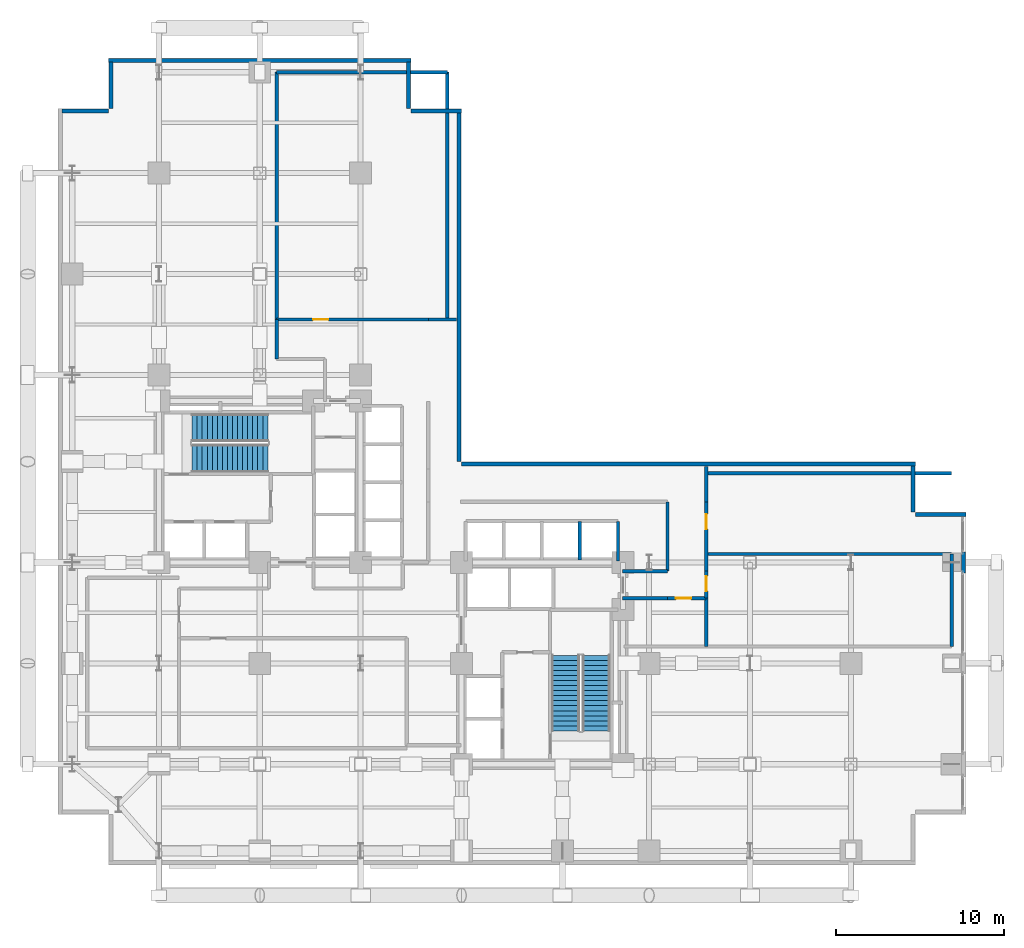
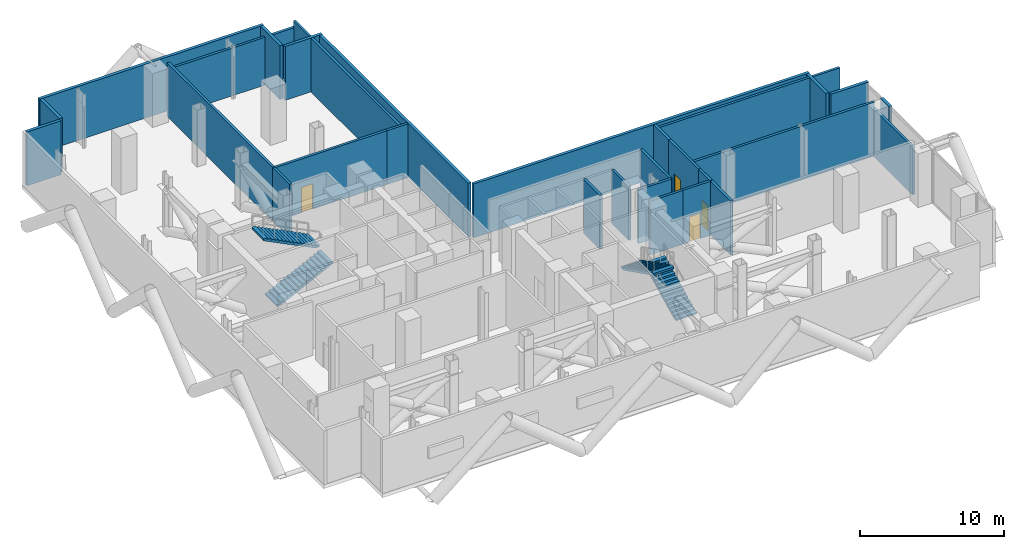
# One storey, part 9 of 10: 29 walls, 4 doors, 4 stair flights, 4 openings, 2 elements without a shape of their own.
"""IFC4 building model written with IfcOpenShell, lengths in metres."""

import ifcopenshell
import ifcopenshell.guid

model = None  # the IFC model being written
_history = None  # IfcOwnerHistory: only IFC2X3 demands one
_inside = {}  # id of a spatial element -> (the spatial element, [elements in it])
_under = {}  # id of a project, library or spatial element -> (it, [spatial elements below it])
_declared = {}  # id of a project -> (the project, [libraries it declares])
_typed = {}  # id of a type object -> (the type object, [elements of that type])
_made_of = {}  # id of a material, layer set ... -> (it, [elements and type objects made of it])


def new_model(schema):
    """Start an empty IFC model of exactly this schema.

    Asked for "IFC4X3", IfcOpenShell would pick the latest addendum, in which some entities
    have other attributes; the version numbers below select the first issue.
    IFC2X3 requires an IfcOwnerHistory on every rooted entity: one is made here for all.
    """
    global model, _history
    if schema == "IFC4X3":
        model = ifcopenshell.file(schema_version=(4, 3, 0, 0))
    else:
        model = ifcopenshell.file(schema=schema)
    _inside.clear()
    _under.clear()
    _declared.clear()
    _typed.clear()
    _made_of.clear()
    _history = None
    if model.schema == "IFC2X3":
        org = make("IfcOrganization", Name="unknown")
        user = make(
            "IfcPersonAndOrganization",
            ThePerson=make("IfcPerson", FamilyName="unknown"),
            TheOrganization=org,
        )
        app = make(
            "IfcApplication",
            ApplicationDeveloper=org,
            Version="unknown",
            ApplicationFullName="unknown",
            ApplicationIdentifier="unknown",
        )
        _history = make(
            "IfcOwnerHistory",
            OwningUser=user,
            OwningApplication=app,
            ChangeAction="ADDED",
            CreationDate=0,
        )
    return model


def make(cls, **values):
    """One entity of the class cls with the attributes given. An attribute that is None is left unset."""
    return model.create_entity(
        cls, **{name: value for name, value in values.items() if value is not None}
    )


def rooted(cls, **values):
    """An entity with a GlobalId (a new one), such as an element, a storey or a relation."""
    return make(cls, GlobalId=ifcopenshell.guid.new(), OwnerHistory=_history, **values)


def si_unit(unit_type, name, prefix=None):
    """IfcSIUnit, for example si_unit("LENGTHUNIT", "METRE", prefix="MILLI")."""
    return make("IfcSIUnit", UnitType=unit_type, Prefix=prefix, Name=name)


def assignment(units):
    """IfcUnitAssignment: the units of a project."""
    return None if units is None else make("IfcUnitAssignment", Units=units)


def point(xyz):
    """IfcCartesianPoint."""
    return None if xyz is None else make("IfcCartesianPoint", Coordinates=xyz)


def direction(xyz):
    """IfcDirection."""
    return None if xyz is None else make("IfcDirection", DirectionRatios=xyz)


def frame(location, z_axis=None, x_axis=None):
    """IfcAxis2Placement3D, a coordinate frame: its origin and axes. An axis left out is left unset."""
    return make(
        "IfcAxis2Placement3D",
        Location=point(location),
        Axis=direction(z_axis),
        RefDirection=direction(x_axis),
    )


def frame_2d(location, x_axis=None):
    """IfcAxis2Placement2D, a coordinate frame in the plane: its origin and x axis."""
    return make(
        "IfcAxis2Placement2D", Location=point(location), RefDirection=direction(x_axis)
    )


def origin():
    """The frame at (0, 0, 0) with its axes left unset."""
    return frame((0.0, 0.0, 0.0))


def place(relative_to, where):
    """IfcLocalPlacement: puts the frame where relative to a parent placement (None: the world)."""
    return make(
        "IfcLocalPlacement", PlacementRelTo=relative_to, RelativePlacement=where
    )


def context(
    kind, dimensions, precision=None, world=None, true_north=None, identifier=None
):
    """IfcGeometricRepresentationContext, for example the 3D "Model" context."""
    return make(
        "IfcGeometricRepresentationContext",
        ContextIdentifier=identifier,
        ContextType=kind,
        CoordinateSpaceDimension=dimensions,
        Precision=precision,
        WorldCoordinateSystem=world,
        TrueNorth=true_north,
    )


def subcontext(parent, identifier, kind, view, scale=None):
    """IfcGeometricRepresentationSubContext, for example "Body" below "Model"."""
    return make(
        "IfcGeometricRepresentationSubContext",
        ContextIdentifier=identifier,
        ContextType=kind,
        ParentContext=parent,
        TargetScale=scale,
        TargetView=view,
    )


def project(units=None, contexts=None):
    """IfcProject with its units and contexts."""
    return rooted(
        "IfcProject",
        Name="project",
        RepresentationContexts=contexts,
        UnitsInContext=assignment(units),
    )


def spatial(cls, under=None, at=None, **own):
    """A site, building, storey or space (cls), placed at a placement, below another one or the project."""
    s = rooted(cls, ObjectPlacement=at, **own)
    if under is not None:
        _under.setdefault(under.id(), (under, []))[1].append(s)
    return s


def polyline(points):
    """IfcPolyline through the points."""
    return make("IfcPolyline", Points=[point(p) for p in points])


def profile(cls, at=None, kind="AREA", **sizes):
    """A parametric profile (cls). Its sizes go by their IFC names, for example OverallWidth=200.0."""
    return make(cls, ProfileType=kind, Position=at, **sizes)


def rectangle(**sizes):
    """IfcRectangleProfileDef."""
    return profile("IfcRectangleProfileDef", **sizes)


def outline(outer, holes=None, kind="AREA"):
    """IfcArbitraryClosedProfileDef: a profile drawn as a closed curve; with holes, ...WithVoids."""
    if holes is None:
        return make("IfcArbitraryClosedProfileDef", ProfileType=kind, OuterCurve=outer)
    return make(
        "IfcArbitraryProfileDefWithVoids",
        ProfileType=kind,
        OuterCurve=outer,
        InnerCurves=holes,
    )


def extrude(swept, where, along, depth):
    """IfcExtrudedAreaSolid: the profile swept, set in the frame where, extruded along a direction by depth."""
    return make(
        "IfcExtrudedAreaSolid",
        SweptArea=swept,
        Position=where,
        ExtrudedDirection=direction(along),
        Depth=depth,
    )


def shape(context_of_items, identifier, shape_type, items):
    """IfcShapeRepresentation: the items that make up one representation, for example the "Body"."""
    return make(
        "IfcShapeRepresentation",
        ContextOfItems=context_of_items,
        RepresentationIdentifier=identifier,
        RepresentationType=shape_type,
        Items=items,
    )


def material(Name=None, Category=None):
    """IfcMaterial."""
    return make("IfcMaterial", Name=Name, Category=Category)


def layer(
    of_material, thickness, ventilated=None, Name=None, Category=None, Priority=None
):
    """IfcMaterialLayer: one layer of a wall or slab, of a material (None: an air gap)."""
    return make(
        "IfcMaterialLayer",
        Material=of_material,
        LayerThickness=thickness,
        IsVentilated=ventilated,
        Name=Name,
        Category=Category,
        Priority=Priority,
    )


def layer_set(layers, Name=None):
    """IfcMaterialLayerSet."""
    return make("IfcMaterialLayerSet", MaterialLayers=layers, LayerSetName=Name)


def made_of(thing, what):
    """Note that an element or type object is made of a material, layer set ...; save() writes the relation."""
    if what is not None:
        _made_of.setdefault(what.id(), (what, []))[1].append(thing)
    return thing


def type_object(cls, material=None, **own):
    """A type object (cls), such as IfcWallType, which elements share."""
    return made_of(rooted(cls, **own), material)


def element(
    cls,
    number,
    at=None,
    inside=None,
    cuts=None,
    type_object=None,
    material=None,
    context=None,
    identifier="Body",
    shape_type=None,
    held_by="IfcProductDefinitionShape",
    body=None,
    shapes=None,
    **own,
):
    """One element of the class cls, such as IfcWall. Its Tag is "e" and its number.

    at: its placement. inside: the storey or other place that contains it. cuts: it is an
    opening in that element (IfcRelVoidsElement). A single representation is given by context,
    identifier, shape_type and body (its items); several are given by shapes. held_by: the class
    of the entity that holds the representations. save() writes the other relations.
    """
    e = rooted(cls, Tag="e%d" % number, ObjectPlacement=at, **own)
    if body is not None:
        shapes = [shape(context, identifier, shape_type, body)]
    if shapes is not None:
        e.Representation = make(held_by, Representations=shapes)
    if inside is not None:
        _inside.setdefault(inside.id(), (inside, []))[1].append(e)
    if cuts is not None:
        rooted(
            "IfcRelVoidsElement", RelatingBuildingElement=cuts, RelatedOpeningElement=e
        )
    if type_object is not None:
        _typed.setdefault(type_object.id(), (type_object, []))[1].append(e)
    return made_of(e, material)


def fill(opening, filler):
    """IfcRelFillsElement: the door or window that sits in an opening."""
    return rooted(
        "IfcRelFillsElement",
        RelatingOpeningElement=opening,
        RelatedBuildingElement=filler,
    )


def aggregate(whole, parts):
    """IfcRelAggregates: a whole, such as a stair, and the parts it consists of."""
    return rooted("IfcRelAggregates", RelatingObject=whole, RelatedObjects=parts)


def save(model, path):
    """Write the relations noted so far, then the file.

    IfcRelAggregates (storeys below a building ...), IfcRelContainedInSpatialStructure (elements
    in a storey), IfcRelDefinesByType, IfcRelAssociatesMaterial and IfcRelDeclares: one each for
    every whole, place, type object, material and project.
    """
    for whole, parts in _under.values():
        aggregate(whole, parts)
    for where, things in _inside.values():
        rooted(
            "IfcRelContainedInSpatialStructure",
            RelatedElements=things,
            RelatingStructure=where,
        )
    for kind, things in _typed.values():
        rooted("IfcRelDefinesByType", RelatedObjects=things, RelatingType=kind)
    for what, things in _made_of.values():
        rooted("IfcRelAssociatesMaterial", RelatedObjects=things, RelatingMaterial=what)
    for by, libraries in _declared.values():
        rooted("IfcRelDeclares", RelatingContext=by, RelatedDefinitions=libraries)
    model.write(path)


model = new_model("IFC4")

# Units and contexts
model_context = context("Model", 3, precision=1e-05, world=origin(), true_north=direction((0.0, 1.0)))
body_context = subcontext(model_context, "Body", "Model", "MODEL_VIEW")
ifc_project = project(units=[si_unit("LENGTHUNIT", "METRE"), si_unit("AREAUNIT", "SQUARE_METRE"), si_unit("VOLUMEUNIT", "CUBIC_METRE"), si_unit("PLANEANGLEUNIT", "RADIAN"), si_unit("MASSUNIT", "GRAM", prefix="KILO"), si_unit("THERMODYNAMICTEMPERATUREUNIT", "KELVIN"), si_unit("POWERUNIT", "WATT")], contexts=[model_context])

# Site, building, storey
site_placement = place(None, origin())
site = spatial("IfcSite", under=ifc_project, at=site_placement, CompositionType="ELEMENT")
building_placement = place(site_placement, origin())
building = spatial("IfcBuilding", under=site, at=building_placement, Name="Svarakhadi Broadcast Tower", CompositionType="ELEMENT")
storey_placement = place(building_placement, frame((0.0, 0.0, 94.800048828125)))
storey = spatial("IfcBuildingStorey", under=building, at=storey_placement, Name="L22", CompositionType="ELEMENT", Elevation=94.800048828125)

# Walls
ifc_material_1 = material(Name="Concrete C40/50 (IS 456 M50)", Category="concrete")
ifc_layer_1 = layer(ifc_material_1, 0.239990234375)
ifc_layer_set_1 = layer_set([ifc_layer_1], Name="Concrete C40/50 (IS 456 M50)")
wall_type_1 = type_object("IfcWallType", Name="Wall_Ext_240", PredefinedType="SOLIDWALL", material=ifc_layer_set_1)
wall_1_placement = place(storey_placement, frame((3.0, 47.85009765625, 0.0), z_axis=(0.0, 0.0, 1.0), x_axis=(1.0, 0.0, 0.0)))
element("IfcWall", 1, at=wall_1_placement, inside=storey, type_object=wall_type_1, Name="L22 North Mechanical Acoustic Plant Wall", PredefinedType="SOLIDWALL", context=body_context, shape_type="SweptSolid", body=[
    extrude(rectangle(XDim=18.0, YDim=0.239990234375, at=frame_2d((9.0, 0.0))), origin(), (0.0, 0.0, 1.0), 4.574951171875),
])
for number, where, z_axis, x_axis, name in (
    (2, (0.2548828125, 44.85009765625, 0.0), (0.0, 0.0, 1.0), (1.0, 0.0, 0.0), "L22 Perimeter Bronze Spandrel Closure Wall 02"),
    (3, (3.14990234375, 45.0, 0.0), (0.0, 0.0, 1.0), (0.0, 1.0, 0.0), "L22 Perimeter Bronze Spandrel Closure Wall 03"),
    (4, (20.85009765625, 47.7451171875, 0.0), (0.0, 0.0, 1.0), (0.0, -1.0, 0.0), "L22 Perimeter Bronze Spandrel Closure Wall 04"),
):
    element("IfcWall", number, at=place(storey_placement, frame(where, z_axis=z_axis, x_axis=x_axis)), inside=storey, type_object=wall_type_1, Name=name, PredefinedType="SOLIDWALL", context=body_context, shape_type="SweptSolid", body=[
        extrude(rectangle(XDim=2.7451171875, YDim=0.239990234375, at=frame_2d((1.37255859375, 0.0))), origin(), (0.0, 0.0, 1.0), 4.574951171875),
    ])
wall_2_placement = place(storey_placement, frame((21.0, 44.85009765625, 0.0), z_axis=(0.0, 0.0, 1.0), x_axis=(1.0, 0.0, 0.0)))
element("IfcWall", 5, at=wall_2_placement, inside=storey, type_object=wall_type_1, Name="L22 Perimeter Bronze Spandrel Closure Wall 05", PredefinedType="SOLIDWALL", context=body_context, shape_type="SweptSolid", body=[
    extrude(rectangle(XDim=3.0, YDim=0.239990234375, at=frame_2d((1.5, 0.0))), origin(), (0.0, 0.0, 1.0), 4.574951171875),
])
wall_3_placement = place(storey_placement, frame((23.85009765625, 44.72509765625, 0.0), z_axis=(0.0, 0.0, 1.0), x_axis=(0.0, -1.0, 0.0)))
element("IfcWall", 6, at=wall_3_placement, inside=storey, type_object=wall_type_1, Name="L22 Perimeter Bronze Spandrel Closure Wall 06", PredefinedType="SOLIDWALL", context=body_context, shape_type="SweptSolid", body=[
    extrude(rectangle(XDim=20.72509765625, YDim=0.239990234375, at=frame_2d((10.362548828125, 0.0))), origin(), (0.0, 0.0, 1.0), 4.574951171875),
])
wall_4_placement = place(storey_placement, frame((24.0, 23.85009765625, 0.0), z_axis=(0.0, 0.0, 1.0), x_axis=(1.0, 0.0, 0.0)))
element("IfcWall", 7, at=wall_4_placement, inside=storey, type_object=wall_type_1, Name="L22 Perimeter Bronze Spandrel Closure Wall 07", PredefinedType="SOLIDWALL", context=body_context, shape_type="SweptSolid", body=[
    extrude(rectangle(XDim=27.0, YDim=0.239990234375, at=frame_2d((13.5, 0.0))), origin(), (0.0, 0.0, 1.0), 4.574951171875),
])
wall_5_placement = place(storey_placement, frame((50.85009765625, 23.72509765625, 0.0), z_axis=(0.0, 0.0, 1.0), x_axis=(0.0, -1.0, 0.0)))
element("IfcWall", 8, at=wall_5_placement, inside=storey, type_object=wall_type_1, Name="L22 Perimeter Bronze Spandrel Closure Wall 08", PredefinedType="SOLIDWALL", context=body_context, shape_type="SweptSolid", body=[
    extrude(rectangle(XDim=2.72509765625, YDim=0.239990234375, at=frame_2d((1.362548828125, 0.0))), origin(), (0.0, 0.0, 1.0), 4.574951171875),
])
wall_6_placement = place(storey_placement, frame((51.0, 20.85009765625, 0.0), z_axis=(0.0, 0.0, 1.0), x_axis=(1.0, 0.0, 0.0)))
element("IfcWall", 9, at=wall_6_placement, inside=storey, type_object=wall_type_1, Name="L22 Perimeter Bronze Spandrel Closure Wall 09", PredefinedType="SOLIDWALL", context=body_context, shape_type="SweptSolid", body=[
    extrude(rectangle(XDim=3.0, YDim=0.239990234375, at=frame_2d((1.5, 0.0))), origin(), (0.0, 0.0, 1.0), 4.574951171875),
])
wall_7_placement = place(storey_placement, frame((53.85009765625, 18.614990234375, 0.0), z_axis=(0.0, 0.0, 1.0), x_axis=(0.0, -1.0, 0.0)))
element("IfcWall", 10, at=wall_7_placement, inside=storey, type_object=wall_type_1, Name="L22 Perimeter Bronze Spandrel Closure Wall 10", PredefinedType="SOLIDWALL", context=body_context, shape_type="SweptSolid", body=[
    extrude(rectangle(XDim=1.22998046875, YDim=0.239990234375, at=frame_2d((0.614990234375, 0.0))), origin(), (0.0, 0.0, 1.0), 4.574951171875),
])
ifc_layer_2 = layer(ifc_material_1, 0.199951171875)
ifc_layer_set_2 = layer_set([ifc_layer_2], Name="Concrete C40/50 (IS 456 M50)")
wall_type_2 = type_object("IfcWallType", Name="Wall_Fire_200", PredefinedType="SOLIDWALL", material=ifc_layer_set_2)
wall_8_placement = place(storey_placement, frame((13.0, 30.10009765625, 0.0), z_axis=(0.0, 0.0, 1.0), x_axis=(0.0, 1.0, 0.0)))
element("IfcWall", 11, at=wall_8_placement, inside=storey, type_object=wall_type_2, Name="L22 Plant Service Corridor Wall", PredefinedType="SOLIDWALL", context=body_context, shape_type="SweptSolid", body=[
    extrude(rectangle(XDim=2.349853515625, YDim=0.199951171875, at=frame_2d((1.1748046875, 0.0))), origin(), (0.0, 0.0, 1.0), 4.574951171875),
])

# Wall, opening, door
wall_9_placement = place(storey_placement, frame((13.0, 32.449951171875, 0.0), z_axis=(0.0, 0.0, 1.0), x_axis=(1.0, 0.0, 0.0)))
wall_9 = element("IfcWall", 12, at=wall_9_placement, inside=storey, type_object=wall_type_2, Name="L22 Plant Service Corridor Wall", PredefinedType="SOLIDWALL", context=body_context, shape_type="SweptSolid", body=[
    extrude(rectangle(XDim=9.02001953125, YDim=0.199951171875, at=frame_2d((4.510009765625, 0.0))), origin(), (0.0, 0.0, 1.0), 4.574951171875),
])
opening_1_placement = place(wall_9_placement, frame((2.175048828125, 0.0, 0.0)))
opening_1 = element("IfcOpeningElement", 13, at=opening_1_placement, cuts=wall_9, Name="Opening D-03", PredefinedType="OPENING", context=body_context, shape_type="SweptSolid", body=[
    extrude(rectangle(XDim=0.89990234375, YDim=2.14990234375, at=frame_2d((0.449951171875, 1.074951171875))), frame((0.0, 0.10986328125, 0.0), z_axis=(0.0, -1.0, 0.0), x_axis=(1.0, 0.0, 0.0)), (0.0, 0.0, 1.0), 0.219970703125),
])
ifc_material_2 = material(Name="Galvanised Powder-Coated Fire-Rated Steel Leaf", Category="steel")
door_type_1 = type_object("IfcDoorType", Name="Door_Fire_D03", OperationType="SINGLE_SWING_LEFT", PredefinedType="DOOR", material=ifc_material_2)
door_1_placement = place(opening_1_placement, origin())
door_1 = element("IfcDoor", 14, at=door_1_placement, inside=storey, type_object=door_type_1, Name="L22 Pressurised Fire Refuge Area North Door", OperationType="SINGLE_SWING_LEFT", OverallHeight=2.14990234375, OverallWidth=0.89990234375, PredefinedType="DOOR", context=body_context, shape_type="SweptSolid", body=[
    extrude(rectangle(XDim=0.89990234375, YDim=2.14990234375, at=frame_2d((0.449951171875, 1.074951171875))), frame((0.0, 0.02490234375, 0.0), z_axis=(0.0, -1.0, 0.0), x_axis=(1.0, 0.0, 0.0)), (0.0, 0.0, 1.0), 0.050048828125),
])
fill(opening_1, door_1)

# Walls
wall_10_placement = place(storey_placement, frame((22.02001953125, 32.449951171875, 0.0), z_axis=(0.0, 0.0, 1.0), x_axis=(1.0, 0.0, 0.0)))
element("IfcWall", 15, at=wall_10_placement, inside=storey, type_object=wall_type_2, Name="L22 Plant Service Corridor Wall", PredefinedType="SOLIDWALL", context=body_context, shape_type="SweptSolid", body=[
    extrude(rectangle(XDim=1.679931640625, YDim=0.199951171875, at=frame_2d((0.83984375, 0.0))), origin(), (0.0, 0.0, 1.0), 4.574951171875),
])
wall_11_placement = place(storey_placement, frame((38.550048828125, 23.699951171875, 0.0), z_axis=(0.0, 0.0, 1.0), x_axis=(0.0, -1.0, 0.0)))
element("IfcWall", 16, at=wall_11_placement, inside=storey, type_object=wall_type_2, Name="L22 Plant Service Corridor Wall", PredefinedType="SOLIDWALL", context=body_context, shape_type="SweptSolid", body=[
    extrude(rectangle(XDim=2.099853515625, YDim=0.199951171875, at=frame_2d((1.0498046875, 0.0))), origin(), (0.0, 0.0, 1.0), 4.574951171875),
])

# Wall, opening, door
wall_12_placement = place(storey_placement, frame((38.550048828125, 21.60009765625, 0.0), z_axis=(0.0, 0.0, 1.0), x_axis=(0.0, -1.0, 0.0)))
wall_12 = element("IfcWall", 17, at=wall_12_placement, inside=storey, type_object=wall_type_2, Name="L22 Plant Service Corridor Wall", PredefinedType="SOLIDWALL", context=body_context, shape_type="SweptSolid", body=[
    extrude(rectangle(XDim=4.1201171875, YDim=0.199951171875, at=frame_2d((2.06005859375, 0.0))), origin(), (0.0, 0.0, 1.0), 4.574951171875),
])
opening_2_placement = place(wall_12_placement, frame((0.72509765625, 0.0, 0.0)))
opening_2 = element("IfcOpeningElement", 18, at=opening_2_placement, cuts=wall_12, Name="Opening D-04", PredefinedType="OPENING", context=body_context, shape_type="SweptSolid", body=[
    extrude(rectangle(XDim=0.89990234375, YDim=2.14990234375, at=frame_2d((0.449951171875, 1.074951171875))), frame((0.0, 0.10986328125, 0.0), z_axis=(0.0, -1.0, 0.0), x_axis=(1.0, 0.0, 0.0)), (0.0, 0.0, 1.0), 0.219970703125),
])
door_type_2 = type_object("IfcDoorType", Name="Door_Fire_D04", OperationType="SINGLE_SWING_RIGHT", PredefinedType="DOOR", material=ifc_material_2)
door_2_placement = place(opening_2_placement, origin())
door_2 = element("IfcDoor", 19, at=door_2_placement, inside=storey, type_object=door_type_2, Name="L22 Chilled Water Plate Heat Exchanger Plant Room Door", OperationType="SINGLE_SWING_RIGHT", OverallHeight=2.14990234375, OverallWidth=0.89990234375, PredefinedType="DOOR", context=body_context, shape_type="SweptSolid", body=[
    extrude(rectangle(XDim=0.89990234375, YDim=2.14990234375, at=frame_2d((0.449951171875, 1.074951171875))), frame((0.0, 0.02490234375, 0.0), z_axis=(0.0, -1.0, 0.0), x_axis=(1.0, 0.0, 0.0)), (0.0, 0.0, 1.0), 0.050048828125),
])
fill(opening_2, door_2)

wall_13_placement = place(storey_placement, frame((38.550048828125, 17.47998046875, 0.0), z_axis=(0.0, 0.0, 1.0), x_axis=(0.0, -1.0, 0.0)))
wall_13 = element("IfcWall", 20, at=wall_13_placement, inside=storey, type_object=wall_type_2, Name="L22 Plant Service Corridor Wall", PredefinedType="SOLIDWALL", context=body_context, shape_type="SweptSolid", body=[
    extrude(rectangle(XDim=1.60009765625, YDim=0.199951171875, at=frame_2d((0.800048828125, 0.0))), origin(), (0.0, 0.0, 1.0), 4.574951171875),
])
opening_3_placement = place(wall_13_placement, frame((0.2900390625, 0.0, 0.0)))
opening_3 = element("IfcOpeningElement", 21, at=opening_3_placement, cuts=wall_13, Name="Opening D-03", PredefinedType="OPENING", context=body_context, shape_type="SweptSolid", body=[
    extrude(rectangle(XDim=0.89990234375, YDim=2.14990234375, at=frame_2d((0.449951171875, 1.074951171875))), frame((0.0, 0.10986328125, 0.0), z_axis=(0.0, -1.0, 0.0), x_axis=(1.0, 0.0, 0.0)), (0.0, 0.0, 1.0), 0.219970703125),
])
door_3_placement = place(opening_3_placement, origin())
door_3 = element("IfcDoor", 22, at=door_3_placement, inside=storey, type_object=door_type_1, Name="L22 Pressurised Fire Refuge Area East Door", OperationType="SINGLE_SWING_LEFT", OverallHeight=2.14990234375, OverallWidth=0.89990234375, PredefinedType="DOOR", context=body_context, shape_type="SweptSolid", body=[
    extrude(rectangle(XDim=0.89990234375, YDim=2.14990234375, at=frame_2d((0.449951171875, 1.074951171875))), frame((0.0, 0.02490234375, 0.0), z_axis=(0.0, -1.0, 0.0), x_axis=(1.0, 0.0, 0.0)), (0.0, 0.0, 1.0), 0.050048828125),
])
fill(opening_3, door_3)

wall_14_placement = place(storey_placement, frame((38.550048828125, 15.8798828125, 0.0), z_axis=(0.0, 0.0, 1.0), x_axis=(-1.0, 0.0, 0.0)))
wall_14 = element("IfcWall", 23, at=wall_14_placement, inside=storey, type_object=wall_type_2, Name="L22 Plant Service Corridor Wall", PredefinedType="SOLIDWALL", context=body_context, shape_type="SweptSolid", body=[
    extrude(rectangle(XDim=2.300048828125, YDim=0.199951171875, at=frame_2d((1.14990234375, 0.0))), origin(), (0.0, 0.0, 1.0), 4.574951171875),
])
opening_4_placement = place(wall_14_placement, frame((0.89990234375, 0.0, 0.0)))
opening_4 = element("IfcOpeningElement", 24, at=opening_4_placement, cuts=wall_14, Name="Opening D-04", PredefinedType="OPENING", context=body_context, shape_type="SweptSolid", body=[
    extrude(rectangle(XDim=0.89990234375, YDim=2.14990234375, at=frame_2d((0.449951171875, 1.074951171875))), frame((0.0, 0.10986328125, 0.0), z_axis=(0.0, -1.0, 0.0), x_axis=(1.0, 0.0, 0.0)), (0.0, 0.0, 1.0), 0.219970703125),
])
door_4_placement = place(opening_4_placement, origin())
door_4 = element("IfcDoor", 25, at=door_4_placement, inside=storey, type_object=door_type_2, Name="L22 Stairwell Pressurisation Fan Plant Room Door", OperationType="SINGLE_SWING_RIGHT", OverallHeight=2.14990234375, OverallWidth=0.89990234375, PredefinedType="DOOR", context=body_context, shape_type="SweptSolid", body=[
    extrude(rectangle(XDim=0.89990234375, YDim=2.14990234375, at=frame_2d((0.449951171875, 1.074951171875))), frame((0.0, 0.02490234375, 0.0), z_axis=(0.0, -1.0, 0.0), x_axis=(1.0, 0.0, 0.0)), (0.0, 0.0, 1.0), 0.050048828125),
])
fill(opening_4, door_4)

# Walls
for number, where, z_axis, x_axis, name in (
    (26, (36.25, 15.8798828125, 0.0), (0.0, 0.0, 1.0), (-1.0, 0.0, 0.0), "L22 Plant Service Corridor Wall"),
    (27, (33.580078125, 17.47998046875, 0.0), (0.0, 0.0, 1.0), (1.0, 0.0, 0.0), "L22 Plant Service Corridor Wall"),
):
    element("IfcWall", number, at=place(storey_placement, frame(where, z_axis=z_axis, x_axis=x_axis)), inside=storey, type_object=wall_type_2, Name=name, PredefinedType="SOLIDWALL", context=body_context, shape_type="SweptSolid", body=[
        extrude(rectangle(XDim=2.669921875, YDim=0.199951171875, at=frame_2d((1.3349609375, 0.0))), origin(), (0.0, 0.0, 1.0), 4.574951171875),
    ])
wall_15_placement = place(storey_placement, frame((36.25, 17.47998046875, 0.0), z_axis=(0.0, 0.0, 1.0), x_axis=(0.0, 1.0, 0.0)))
element("IfcWall", 28, at=wall_15_placement, inside=storey, type_object=wall_type_2, Name="L22 Plant Service Corridor Wall", PredefinedType="SOLIDWALL", context=body_context, shape_type="SweptSolid", body=[
    extrude(rectangle(XDim=4.1201171875, YDim=0.199951171875, at=frame_2d((2.06005859375, 0.0))), origin(), (0.0, 0.0, 1.0), 4.574951171875),
])
wall_16_placement = place(storey_placement, frame((38.550048828125, 18.5, 0.0), z_axis=(0.0, 0.0, 1.0), x_axis=(1.0, 0.0, 0.0)))
element("IfcWall", 29, at=wall_16_placement, inside=storey, type_object=wall_type_2, Name="L22 Pressurised Fire Refuge Area East Wall", PredefinedType="SOLIDWALL", context=body_context, shape_type="SweptSolid", body=[
    extrude(rectangle(XDim=14.599853515625, YDim=0.199951171875, at=frame_2d((7.2998046875, 0.0))), origin(), (0.0, 0.0, 1.0), 4.574951171875),
])
wall_17_placement = place(storey_placement, frame((53.14990234375, 13.0, 0.0), z_axis=(0.0, 0.0, 1.0), x_axis=(0.0, 1.0, 0.0)))
element("IfcWall", 30, at=wall_17_placement, inside=storey, type_object=wall_type_2, Name="L22 Pressurised Fire Refuge Area East Wall", PredefinedType="SOLIDWALL", context=body_context, shape_type="SweptSolid", body=[
    extrude(rectangle(XDim=5.5, YDim=0.199951171875, at=frame_2d((2.75, 0.0))), origin(), (0.0, 0.0, 1.0), 4.052001953125),
])
wall_18_placement = place(storey_placement, frame((13.0, 47.14990234375, 0.0), z_axis=(0.0, 0.0, 1.0), x_axis=(1.0, 0.0, 0.0)))
element("IfcWall", 31, at=wall_18_placement, inside=storey, type_object=wall_type_2, Name="L22 Pressurised Fire Refuge Area North Wall", PredefinedType="SOLIDWALL", context=body_context, shape_type="SweptSolid", body=[
    extrude(rectangle(XDim=10.14990234375, YDim=0.199951171875, at=frame_2d((5.074951171875, 0.0))), origin(), (0.0, 0.0, 1.0), 4.052001953125),
])
for number, where, z_axis, x_axis, name in (
    (32, (13.0, 32.449951171875, 0.0), (0.0, 0.0, 1.0), (0.0, 1.0, 0.0), "L22 Pressurised Fire Refuge Area North Wall"),
    (33, (23.14990234375, 32.449951171875, 0.0), (0.0, 0.0, 1.0), (0.0, 1.0, 0.0), "L22 Pressurised Fire Refuge Area North Wall"),
):
    element("IfcWall", number, at=place(storey_placement, frame(where, z_axis=z_axis, x_axis=x_axis)), inside=storey, type_object=wall_type_2, Name=name, PredefinedType="SOLIDWALL", context=body_context, shape_type="SweptSolid", body=[
        extrude(rectangle(XDim=14.699951171875, YDim=0.199951171875, at=frame_2d((7.35009765625, 0.0))), origin(), (0.0, 0.0, 1.0), 4.574951171875),
    ])
wall_19_placement = place(storey_placement, frame((38.550048828125, 23.300048828125, 0.0), z_axis=(0.0, 0.0, 1.0), x_axis=(1.0, 0.0, 0.0)))
element("IfcWall", 34, at=wall_19_placement, inside=storey, type_object=wall_type_2, Name="L22 Chilled Water Plate Heat Exchanger Plant Room Wall", PredefinedType="SOLIDWALL", context=body_context, shape_type="SweptSolid", body=[
    extrude(rectangle(XDim=14.599853515625, YDim=0.199951171875, at=frame_2d((7.2998046875, 0.0))), origin(), (0.0, 0.0, 1.0), 4.574951171875),
])
wall_20_placement = place(storey_placement, frame((38.550048828125, 13.0, 0.0), z_axis=(0.0, 0.0, 1.0), x_axis=(0.0, 1.0, 0.0)))
element("IfcWall", 35, at=wall_20_placement, inside=storey, type_object=wall_type_2, Name="L22 Stairwell Pressurisation Fan Plant Room Wall", PredefinedType="SOLIDWALL", context=body_context, shape_type="SweptSolid", body=[
    extrude(rectangle(XDim=2.8798828125, YDim=0.199951171875, at=frame_2d((1.43994140625, 0.0))), origin(), (0.0, 0.0, 1.0), 4.574951171875),
])
ifc_material_3 = material(Name="Concrete C50/60 (IS 456 M60)", Category="concrete")
ifc_layer_3 = layer(ifc_material_3, 0.199951171875)
ifc_layer_set_3 = layer_set([ifc_layer_3], Name="Concrete C50/60 (IS 456 M60)")
wall_type_3 = type_object("IfcWallType", Name="Wall_Shear_200", PredefinedType="SHEAR", material=ifc_layer_set_3)
wall_21_placement = place(storey_placement, frame((33.300048828125, 18.10009765625, 0.0), z_axis=(0.0, 0.0, 1.0), x_axis=(0.0, 1.0, 0.0)))
element("IfcWall", 36, at=wall_21_placement, inside=storey, type_object=wall_type_3, Name="L22 Bank B East Shaft Wall", PredefinedType="SHEAR", context=body_context, shape_type="SweptSolid", body=[
    extrude(rectangle(XDim=2.349853515625, YDim=0.199951171875, at=frame_2d((1.1748046875, 0.0))), origin(), (0.0, 0.0, 1.0), 4.574951171875),
])
wall_22_placement = place(storey_placement, frame((31.02001953125, 18.14990234375, 0.0), z_axis=(0.0, 0.0, 1.0), x_axis=(0.0, 1.0, 0.0)))
element("IfcWall", 37, at=wall_22_placement, inside=storey, type_object=wall_type_3, Name="L22 Bank B Divider", PredefinedType="SHEAR", context=body_context, shape_type="SweptSolid", body=[
    extrude(rectangle(XDim=2.300048828125, YDim=0.199951171875, at=frame_2d((1.14990234375, 0.0))), origin(), (0.0, 0.0, 1.0), 4.574951171875),
])

# Stair, stair flights
stair_type = type_object("IfcStairType", Name="Stair_Exit_Core", PredefinedType="HALF_TURN_STAIR", material=ifc_material_1)
stair_1_placement = place(storey_placement, origin())
stair_1 = element("IfcStair", 38, at=stair_1_placement, inside=storey, type_object=stair_type, Name="L22 West Core Protected Exit Stair ST-01", PredefinedType="HALF_TURN_STAIR")
stair_flight_type = type_object("IfcStairFlightType", Name="Flight_RC_1680", PredefinedType="STRAIGHT", material=ifc_material_1)
stair_flight_1_placement = place(storey_placement, frame((7.97998046875, 24.18994140625, 0.0), z_axis=(0.0, 0.0, 1.0), x_axis=(1.0, 0.0, 0.0)))
stair_flight_1 = element("IfcStairFlight", 39, at=stair_flight_1_placement, type_object=stair_flight_type, Name="ST-01 flight 1", NumberOfRisers=16, NumberOfTreads=15, PredefinedType="STRAIGHT", RiserHeight=0.15, TreadLength=0.3, context=body_context, shape_type="SweptSolid", body=[
    extrude(outline(polyline([(0.0, 0.0), (0.0, 0.14990234375), (0.300048828125, 0.14990234375), (0.300048828125, 0.300048828125), (0.60009765625, 0.300048828125), (0.60009765625, 0.449951171875), (0.89990234375, 0.449951171875), (0.89990234375, 0.60009765625), (1.199951171875, 0.60009765625), (1.199951171875, 0.75), (1.5, 0.75), (1.5, 0.89990234375), (1.800048828125, 0.89990234375), (1.800048828125, 1.050048828125), (2.10009765625, 1.050048828125), (2.10009765625, 1.199951171875), (2.39990234375, 1.199951171875), (2.39990234375, 1.35009765625), (2.699951171875, 1.35009765625), (2.699951171875, 1.5), (3.0, 1.5), (3.0, 1.64990234375), (3.300048828125, 1.64990234375), (3.300048828125, 1.800048828125), (3.60009765625, 1.800048828125), (3.60009765625, 1.949951171875), (3.89990234375, 1.949951171875), (3.89990234375, 2.10009765625), (4.199951171875, 2.10009765625), (4.199951171875, 2.25), (4.5, 2.25), (4.5, 2.39990234375), (4.5, 2.08251953125), (0.335205078125, 0.0), (0.0, 0.0)])), frame((0.0, 0.830078125, 0.0), z_axis=(0.0, -1.0, 0.0), x_axis=(1.0, 0.0, 0.0)), (0.0, 0.0, 1.0), 1.659912109375),
])
stair_flight_2_placement = place(storey_placement, frame((12.47998046875, 26.010009765625, 2.39990234375), z_axis=(0.0, 0.0, 1.0), x_axis=(-1.0, 0.0, 0.0)))
stair_flight_2 = element("IfcStairFlight", 40, at=stair_flight_2_placement, type_object=stair_flight_type, Name="ST-01 flight 2", NumberOfRisers=16, NumberOfTreads=15, PredefinedType="STRAIGHT", RiserHeight=0.15, TreadLength=0.3, context=body_context, shape_type="SweptSolid", body=[
    extrude(outline(polyline([(0.0, 0.0), (0.0, 0.14990234375), (0.300048828125, 0.14990234375), (0.300048828125, 0.300048828125), (0.60009765625, 0.300048828125), (0.60009765625, 0.449951171875), (0.89990234375, 0.449951171875), (0.89990234375, 0.60009765625), (1.199951171875, 0.60009765625), (1.199951171875, 0.75), (1.5, 0.75), (1.5, 0.89990234375), (1.800048828125, 0.89990234375), (1.800048828125, 1.050048828125), (2.10009765625, 1.050048828125), (2.10009765625, 1.199951171875), (2.39990234375, 1.199951171875), (2.39990234375, 1.35009765625), (2.699951171875, 1.35009765625), (2.699951171875, 1.5), (3.0, 1.5), (3.0, 1.64990234375), (3.300048828125, 1.64990234375), (3.300048828125, 1.800048828125), (3.60009765625, 1.800048828125), (3.60009765625, 1.949951171875), (3.89990234375, 1.949951171875), (3.89990234375, 2.10009765625), (4.199951171875, 2.10009765625), (4.199951171875, 2.25), (4.5, 2.25), (4.5, 2.39990234375), (4.5, 2.08251953125), (0.335205078125, 0.0), (0.0, 0.0)])), frame((0.0, 0.830078125, 0.0), z_axis=(0.0, -1.0, 0.0), x_axis=(1.0, 0.0, 0.0)), (0.0, 0.0, 1.0), 1.659912109375),
])
aggregate(stair_1, [stair_flight_1, stair_flight_2])

stair_2_placement = place(storey_placement, origin())
stair_2 = element("IfcStair", 41, at=stair_2_placement, inside=storey, type_object=stair_type, Name="L22 East Core Protected Exit Stair ST-02", PredefinedType="HALF_TURN_STAIR")
stair_flight_3_placement = place(storey_placement, frame((32.010009765625, 7.97998046875, 0.0), z_axis=(0.0, 0.0, 1.0), x_axis=(0.0, 1.0, 0.0)))
stair_flight_3 = element("IfcStairFlight", 42, at=stair_flight_3_placement, type_object=stair_flight_type, Name="ST-02 flight 1", NumberOfRisers=16, NumberOfTreads=15, PredefinedType="STRAIGHT", RiserHeight=0.15, TreadLength=0.3, context=body_context, shape_type="SweptSolid", body=[
    extrude(outline(polyline([(0.0, 0.0), (0.0, 0.14990234375), (0.300048828125, 0.14990234375), (0.300048828125, 0.300048828125), (0.60009765625, 0.300048828125), (0.60009765625, 0.449951171875), (0.89990234375, 0.449951171875), (0.89990234375, 0.60009765625), (1.199951171875, 0.60009765625), (1.199951171875, 0.75), (1.5, 0.75), (1.5, 0.89990234375), (1.800048828125, 0.89990234375), (1.800048828125, 1.050048828125), (2.10009765625, 1.050048828125), (2.10009765625, 1.199951171875), (2.39990234375, 1.199951171875), (2.39990234375, 1.35009765625), (2.699951171875, 1.35009765625), (2.699951171875, 1.5), (3.0, 1.5), (3.0, 1.64990234375), (3.300048828125, 1.64990234375), (3.300048828125, 1.800048828125), (3.60009765625, 1.800048828125), (3.60009765625, 1.949951171875), (3.89990234375, 1.949951171875), (3.89990234375, 2.10009765625), (4.199951171875, 2.10009765625), (4.199951171875, 2.25), (4.5, 2.25), (4.5, 2.39990234375), (4.5, 2.08251953125), (0.335205078125, 0.0), (0.0, 0.0)])), frame((0.0, 0.830078125, 0.0), z_axis=(0.0, -1.0, 0.0), x_axis=(1.0, 0.0, 0.0)), (0.0, 0.0, 1.0), 1.659912109375),
])
stair_flight_4_placement = place(storey_placement, frame((30.18994140625, 12.47998046875, 2.39990234375), z_axis=(0.0, 0.0, 1.0), x_axis=(0.0, -1.0, 0.0)))
stair_flight_4 = element("IfcStairFlight", 43, at=stair_flight_4_placement, type_object=stair_flight_type, Name="ST-02 flight 2", NumberOfRisers=16, NumberOfTreads=15, PredefinedType="STRAIGHT", RiserHeight=0.15, TreadLength=0.3, context=body_context, shape_type="SweptSolid", body=[
    extrude(outline(polyline([(0.0, 0.0), (0.0, 0.14990234375), (0.300048828125, 0.14990234375), (0.300048828125, 0.300048828125), (0.60009765625, 0.300048828125), (0.60009765625, 0.449951171875), (0.89990234375, 0.449951171875), (0.89990234375, 0.60009765625), (1.199951171875, 0.60009765625), (1.199951171875, 0.75), (1.5, 0.75), (1.5, 0.89990234375), (1.800048828125, 0.89990234375), (1.800048828125, 1.050048828125), (2.10009765625, 1.050048828125), (2.10009765625, 1.199951171875), (2.39990234375, 1.199951171875), (2.39990234375, 1.35009765625), (2.699951171875, 1.35009765625), (2.699951171875, 1.5), (3.0, 1.5), (3.0, 1.64990234375), (3.300048828125, 1.64990234375), (3.300048828125, 1.800048828125), (3.60009765625, 1.800048828125), (3.60009765625, 1.949951171875), (3.89990234375, 1.949951171875), (3.89990234375, 2.10009765625), (4.199951171875, 2.10009765625), (4.199951171875, 2.25), (4.5, 2.25), (4.5, 2.39990234375), (4.5, 2.08251953125), (0.335205078125, 0.0), (0.0, 0.0)])), frame((0.0, 0.830078125, 0.0), z_axis=(0.0, -1.0, 0.0), x_axis=(1.0, 0.0, 0.0)), (0.0, 0.0, 1.0), 1.659912109375),
])
aggregate(stair_2, [stair_flight_3, stair_flight_4])

save(model, "model.ifc")
